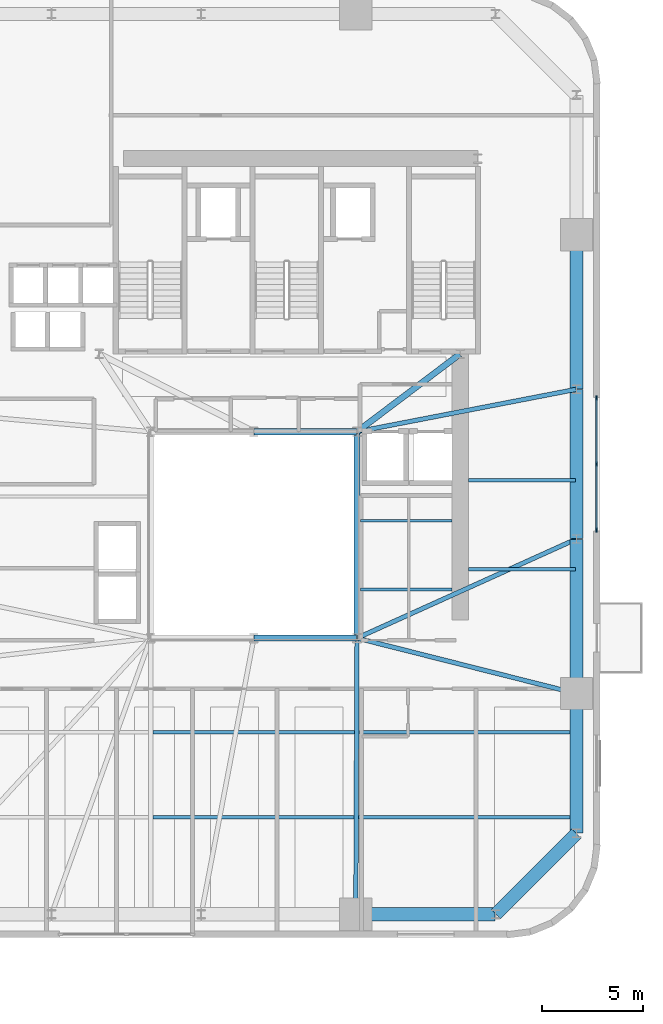
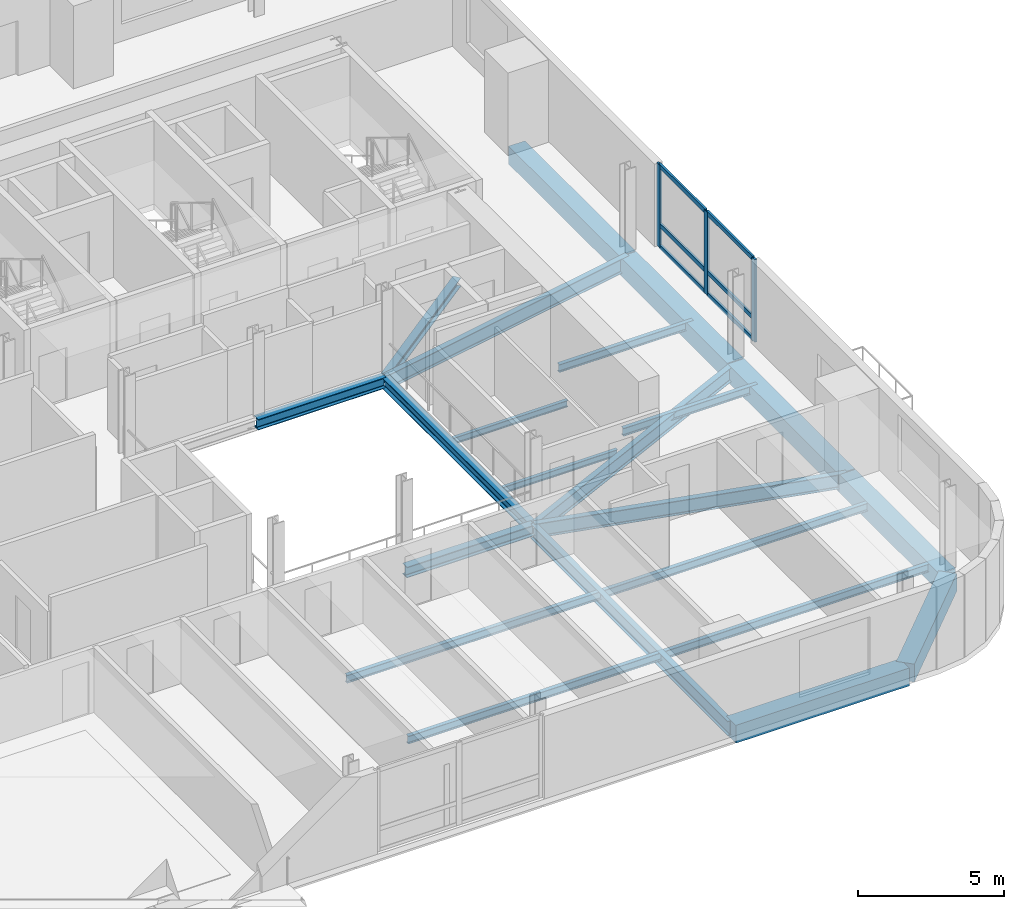
# One storey, part 3 of 14: 20 beams, 9 members, 1 element without a shape of its own.
"""IFC4 building model written with IfcOpenShell, lengths in metres."""

from ifc_helpers import new_model, si_unit, direction, frame, origin, origin_2d, place, context, subcontext, project, spatial, rectangle, i_section, extrude, source, transform, mapped, material, material_profile, profile_set, type_object, element, aggregate, save


model = new_model("IFC4")

# Units and contexts
model_context = context("Model", 3, precision=1e-05, world=origin(), true_north=direction((0.0, 1.0)))
body_context = subcontext(model_context, "Body", "Model", "MODEL_VIEW")
ifc_project = project(units=[si_unit("LENGTHUNIT", "METRE"), si_unit("AREAUNIT", "SQUARE_METRE"), si_unit("VOLUMEUNIT", "CUBIC_METRE"), si_unit("PLANEANGLEUNIT", "RADIAN"), si_unit("MASSUNIT", "GRAM", prefix="KILO")], contexts=[model_context])

# Site, building, storey
site_placement = place(None, origin())
site = spatial("IfcSite", under=ifc_project, at=site_placement, CompositionType="ELEMENT")
building_placement = place(site_placement, origin())
building = spatial("IfcBuilding", under=site, at=building_placement, Name="Vardaveli Station Tower", CompositionType="ELEMENT")
storey_placement = place(building_placement, frame((0.0, 0.0, 126.10009765625)))
storey = spatial("IfcBuildingStorey", under=building, at=storey_placement, Name="L32", CompositionType="ELEMENT", Elevation=126.10009765625)

# Beams
ifc_material_1 = material(Name="Structural steel S355J2", Category="steel")
ifc_material_profile_1 = material_profile(ifc_material_1, i_section(OverallWidth=0.300048828125, OverallDepth=0.449951171875, WebThickness=0.013916015625, FlangeThickness=0.02587890625, FilletRadius=0.027099609375, at=origin_2d()), Name="HEB 450")
ifc_profile_set_1 = profile_set([ifc_material_profile_1], Name="Structural steel S355J2")
beam_type_1 = type_object("IfcBeamType", Name="BM-HEB450", PredefinedType="BEAM", material=ifc_profile_set_1)
shared_shape_1 = source(origin(), body_context, "Body", "SweptSolid", [
    extrude(i_section(OverallWidth=0.300048828125, OverallDepth=0.449951171875, WebThickness=0.013916015625, FlangeThickness=0.02587890625, FilletRadius=0.027099609375, at=origin_2d()), origin(), (0.0, 0.0, 1.0), 5.059814453125),
])
for number, where, z_axis, x_axis, name in (
    (1, (36.320068359375, 16.60009765625, -0.465087890625), (1.0, 0.0, 0.0), (0.0, 1.0, 0.0), "ABM-L32-02"),
    (2, (41.3798828125, 26.800048828125, -0.465087890625), (-1.0, 0.0, 0.0), (0.0, -1.0, 0.0), "ABM-L32-04"),
):
    element("IfcBeam", number, at=place(storey_placement, frame(where, z_axis=z_axis, x_axis=x_axis)), inside=storey, type_object=beam_type_1, Name=name, PredefinedType="BEAM", context=body_context, shape_type="MappedRepresentation", body=[
        mapped(shared_shape_1, transform((0.0, 0.0, 0.0), scale=1.0)),
    ])
shared_shape_2 = source(origin(), body_context, "Body", "SweptSolid", [
    extrude(i_section(OverallWidth=0.300048828125, OverallDepth=0.449951171875, WebThickness=0.013916015625, FlangeThickness=0.02587890625, FilletRadius=0.027099609375, at=origin_2d()), origin(), (0.0, 0.0, 1.0), 10.159912109375),
])
beam_1_placement = place(storey_placement, frame((41.39990234375, 16.6201171875, -0.465087890625), z_axis=(0.0, 1.0, 0.0), x_axis=(-1.0, 0.0, 0.0)))
element("IfcBeam", 3, at=beam_1_placement, inside=storey, type_object=beam_type_1, Name="ABM-L32-03", PredefinedType="BEAM", context=body_context, shape_type="MappedRepresentation", body=[
    mapped(shared_shape_2, transform((0.0, 0.0, 0.0), scale=1.0)),
])
ifc_material_profile_2 = material_profile(ifc_material_1, i_section(OverallWidth=0.300048828125, OverallDepth=0.360107421875, WebThickness=0.012451171875, FlangeThickness=0.0224609375, FilletRadius=0.027099609375, at=origin_2d()), Name="HEB 360")
ifc_profile_set_2 = profile_set([ifc_material_profile_2], Name="Structural steel S355J2")
beam_type_2 = type_object("IfcBeamType", Name="BM-HEB360", PredefinedType="BEAM", material=ifc_profile_set_2)
shared_shape_3 = source(origin(), body_context, "Body", "SweptSolid", [
    extrude(i_section(OverallWidth=0.300048828125, OverallDepth=0.360107421875, WebThickness=0.012451171875, FlangeThickness=0.0224609375, FilletRadius=0.027099609375, at=origin_2d()), origin(), (0.0, 0.0, 1.0), 6.35009765625),
])
beam_2_placement = place(storey_placement, frame((41.416015625, 26.81201171875, -0.420166015625), z_axis=(0.798118337722, 0.602500721154, 0.0), x_axis=(-0.602500721154, 0.798118337722, 0.0)))
element("IfcBeam", 4, at=beam_2_placement, inside=storey, type_object=beam_type_2, Name="CBM-L32-02", PredefinedType="BEAM", context=body_context, shape_type="MappedRepresentation", body=[
    mapped(shared_shape_3, transform((0.0, 0.0, 0.0), scale=1.0)),
])
ifc_material_2 = material(Name="Precast concrete C45/55", Category="concrete")
ifc_material_profile_3 = material_profile(ifc_material_2, rectangle(XDim=0.64990234375, YDim=0.75, at=origin_2d()), Name="LPB 650x750")
ifc_profile_set_3 = profile_set([ifc_material_profile_3], Name="Precast concrete C45/55")
beam_type_3 = type_object("IfcBeamType", Name="BM-LPB-750", PredefinedType="BEAM", material=ifc_profile_set_3)
shared_shape_4 = source(origin(), body_context, "Body", "SweptSolid", [
    extrude(rectangle(XDim=0.64990234375, YDim=0.75, at=origin_2d()), origin(), (0.0, 0.0, 1.0), 7.60009765625),
])
for number, where, z_axis, x_axis, name in (
    (5, (52.25, 13.8798828125, -0.614990234375), (0.0, 1.0, 0.0), (-1.0, 0.0, 0.0), "RBM-L32-07"),
    (6, (52.25, 28.919921875, -0.614990234375), (0.0, 1.0, 0.0), (-1.0, 0.0, 0.0), "RBM-L32-09"),
):
    element("IfcBeam", number, at=place(storey_placement, frame(where, z_axis=z_axis, x_axis=x_axis)), inside=storey, type_object=beam_type_3, Name=name, PredefinedType="BEAM", context=body_context, shape_type="MappedRepresentation", body=[
        mapped(shared_shape_4, transform((0.0, 0.0, 0.0), scale=1.0)),
    ])
shared_shape_5 = source(origin(), body_context, "Body", "SweptSolid", [
    extrude(rectangle(XDim=0.64990234375, YDim=0.75, at=origin_2d()), origin(), (0.0, 0.0, 1.0), 7.35986328125),
])
beam_3_placement = place(storey_placement, frame((52.25, 21.52001953125, -0.614990234375), z_axis=(0.0, 1.0, 0.0), x_axis=(-1.0, 0.0, 0.0)))
element("IfcBeam", 7, at=beam_3_placement, inside=storey, type_object=beam_type_3, Name="RBM-L32-08", PredefinedType="BEAM", context=body_context, shape_type="MappedRepresentation", body=[
    mapped(shared_shape_5, transform((0.0, 0.0, 0.0), scale=1.0)),
])
shared_shape_6 = source(origin(), body_context, "Body", "SweptSolid", [
    extrude(rectangle(XDim=0.64990234375, YDim=0.75, at=origin_2d()), origin(), (0.0, 0.0, 1.0), 6.869873046875),
])
beam_4_placement = place(storey_placement, frame((41.360107421875, 2.949951171875, -0.614990234375), z_axis=(1.0, 0.0, 0.0), x_axis=(0.0, 1.0, 0.0)))
element("IfcBeam", 8, at=beam_4_placement, inside=storey, type_object=beam_type_3, Name="RBM-L32-04", PredefinedType="BEAM", context=body_context, shape_type="MappedRepresentation", body=[
    mapped(shared_shape_6, transform((0.0, 0.0, 0.0), scale=1.0)),
])
shared_shape_7 = source(origin(), body_context, "Body", "SweptSolid", [
    extrude(rectangle(XDim=0.64990234375, YDim=0.75, at=origin_2d()), origin(), (0.0, 0.0, 1.0), 5.61669921875),
])
beam_5_placement = place(storey_placement, frame((48.26416015625, 2.964111328125, -0.614990234375), z_axis=(0.707106781187, 0.707106781187, 0.0), x_axis=(-0.707106781187, 0.707106781187, 0.0)))
element("IfcBeam", 9, at=beam_5_placement, inside=storey, type_object=beam_type_3, Name="RBM-L32-05", PredefinedType="BEAM", context=body_context, shape_type="MappedRepresentation", body=[
    mapped(shared_shape_7, transform((0.0, 0.0, 0.0), scale=1.0)),
])
shared_shape_8 = source(origin(), body_context, "Body", "SweptSolid", [
    extrude(rectangle(XDim=0.64990234375, YDim=0.75, at=origin_2d()), origin(), (0.0, 0.0, 1.0), 6.8701171875),
])
beam_6_placement = place(storey_placement, frame((52.25, 6.969970703125, -0.614990234375), z_axis=(0.0, 1.0, 0.0), x_axis=(-1.0, 0.0, 0.0)))
element("IfcBeam", 10, at=beam_6_placement, inside=storey, type_object=beam_type_3, Name="RBM-L32-06", PredefinedType="BEAM", context=body_context, shape_type="MappedRepresentation", body=[
    mapped(shared_shape_8, transform((0.0, 0.0, 0.0), scale=1.0)),
])
ifc_material_profile_4 = material_profile(ifc_material_1, i_section(OverallWidth=0.159912109375, OverallDepth=0.330078125, WebThickness=0.007568359375, FlangeThickness=0.011474609375, FilletRadius=0.01806640625, at=origin_2d()), Name="IPE 330")
ifc_profile_set_4 = profile_set([ifc_material_profile_4], Name="Structural steel S355J2")
beam_type_4 = type_object("IfcBeamType", Name="BM-IPE330", PredefinedType="JOIST", material=ifc_profile_set_4)
shared_shape_9 = source(origin(), body_context, "Body", "SweptSolid", [
    extrude(i_section(OverallWidth=0.159912109375, OverallDepth=0.330078125, WebThickness=0.007568359375, FlangeThickness=0.011474609375, FilletRadius=0.01806640625, at=origin_2d()), origin(), (0.0, 0.0, 1.0), 20.89794921875),
])
for number, where, z_axis, x_axis, name in (
    (11, (31.31201171875, 7.75, -0.405029296875), (1.0, 0.0, 0.0), (0.0, 1.0, 0.0), "SJ-L32-S02"),
    (12, (31.31201171875, 11.949951171875, -0.405029296875), (1.0, 0.0, 0.0), (0.0, 1.0, 0.0), "SJ-L32-S04"),
):
    element("IfcBeam", number, at=place(storey_placement, frame(where, z_axis=z_axis, x_axis=x_axis)), inside=storey, type_object=beam_type_4, Name=name, PredefinedType="JOIST", context=body_context, shape_type="MappedRepresentation", body=[
        mapped(shared_shape_9, transform((0.0, 0.0, 0.0), scale=1.0)),
    ])
shared_shape_10 = source(origin(), body_context, "Body", "SweptSolid", [
    extrude(i_section(OverallWidth=0.159912109375, OverallDepth=0.330078125, WebThickness=0.007568359375, FlangeThickness=0.011474609375, FilletRadius=0.01806640625, at=origin_2d()), origin(), (0.0, 0.0, 1.0), 5.304931640625),
])
for number, where, z_axis, x_axis, name in (
    (13, (46.905029296875, 20.0, -0.405029296875), (1.0, 0.0, 0.0), (0.0, 1.0, 0.0), "SJ-L32-E07"),
    (14, (46.905029296875, 24.39990234375, -0.405029296875), (1.0, 0.0, 0.0), (0.0, 1.0, 0.0), "SJ-L32-E08"),
):
    element("IfcBeam", number, at=place(storey_placement, frame(where, z_axis=z_axis, x_axis=x_axis)), inside=storey, type_object=beam_type_4, Name=name, PredefinedType="JOIST", context=body_context, shape_type="MappedRepresentation", body=[
        mapped(shared_shape_10, transform((0.0, 0.0, 0.0), scale=1.0)),
    ])
ifc_material_profile_5 = material_profile(ifc_material_1, i_section(OverallWidth=0.135009765625, OverallDepth=0.27001953125, WebThickness=0.006591796875, FlangeThickness=0.01025390625, FilletRadius=0.014892578125, at=origin_2d()), Name="IPE 270")
ifc_profile_set_5 = profile_set([ifc_material_profile_5], Name="Structural steel S355J2")
beam_type_5 = type_object("IfcBeamType", Name="BM-IPE270", PredefinedType="BEAM", material=ifc_profile_set_5)
shared_shape_11 = source(origin(), body_context, "Body", "SweptSolid", [
    extrude(i_section(OverallWidth=0.135009765625, OverallDepth=0.27001953125, WebThickness=0.006591796875, FlangeThickness=0.01025390625, FilletRadius=0.014892578125, at=origin_2d()), origin(), (0.0, 0.0, 1.0), 4.530029296875),
])
for number, where, z_axis, x_axis, name in (
    (15, (41.56494140625, 19.0, -0.375), (1.0, 0.0, 0.0), (0.0, 1.0, 0.0), "TJ-L32-01"),
    (16, (41.56494140625, 22.39990234375, -0.375), (1.0, 0.0, 0.0), (0.0, 1.0, 0.0), "TJ-L32-02"),
):
    element("IfcBeam", number, at=place(storey_placement, frame(where, z_axis=z_axis, x_axis=x_axis)), inside=storey, type_object=beam_type_5, Name=name, PredefinedType="BEAM", context=body_context, shape_type="MappedRepresentation", body=[
        mapped(shared_shape_11, transform((0.0, 0.0, 0.0), scale=1.0)),
    ])
ifc_material_profile_6 = material_profile(ifc_material_1, i_section(OverallWidth=0.219970703125, OverallDepth=0.60009765625, WebThickness=0.011962890625, FlangeThickness=0.01904296875, FilletRadius=0.02392578125, at=origin_2d()), Name="IPE 600")
ifc_profile_set_6 = profile_set([ifc_material_profile_6], Name="Structural steel S355J2")
beam_type_6 = type_object("IfcBeamType", Name="BM-IPE600", PredefinedType="BEAM", material=ifc_profile_set_6)
shared_shape_12 = source(origin(), body_context, "Body", "SweptSolid", [
    extrude(i_section(OverallWidth=0.219970703125, OverallDepth=0.60009765625, WebThickness=0.011962890625, FlangeThickness=0.01904296875, FilletRadius=0.02392578125, at=origin_2d()), origin(), (0.0, 0.0, 1.0), 13.6103515625),
])
beam_7_placement = place(storey_placement, frame((41.340087890625, 2.969970703125, -0.5400390625), z_axis=(0.004394812886, 0.999990342763, 0.0), x_axis=(-0.999990342763, 0.004394812886, 0.0)))
element("IfcBeam", 17, at=beam_7_placement, inside=storey, type_object=beam_type_6, Name="GBM-L32-04", PredefinedType="BEAM", context=body_context, shape_type="MappedRepresentation", body=[
    mapped(shared_shape_12, transform((0.0, 0.0, 0.0), scale=1.0)),
])
shared_shape_13 = source(origin(), body_context, "Body", "SweptSolid", [
    extrude(i_section(OverallWidth=0.219970703125, OverallDepth=0.60009765625, WebThickness=0.011962890625, FlangeThickness=0.01904296875, FilletRadius=0.02392578125, at=origin_2d()), origin(), (0.0, 0.0, 1.0), 11.150634765625),
])
beam_8_placement = place(storey_placement, frame((52.230712890625, 13.864990234375, -0.5400390625), z_axis=(-0.969561465826, 0.244848042642, 0.0), x_axis=(-0.244848042642, -0.969561465826, 0.0)))
element("IfcBeam", 18, at=beam_8_placement, inside=storey, type_object=beam_type_6, Name="GBM-L32-05", PredefinedType="BEAM", context=body_context, shape_type="MappedRepresentation", body=[
    mapped(shared_shape_13, transform((0.0, 0.0, 0.0), scale=1.0)),
])
shared_shape_14 = source(origin(), body_context, "Body", "SweptSolid", [
    extrude(i_section(OverallWidth=0.219970703125, OverallDepth=0.60009765625, WebThickness=0.011962890625, FlangeThickness=0.01904296875, FilletRadius=0.02392578125, at=origin_2d()), origin(), (0.0, 0.0, 1.0), 11.864990234375),
])
beam_9_placement = place(storey_placement, frame((52.231689453125, 21.49169921875, -0.5400390625), z_axis=(-0.911369354756, -0.411589478985, 0.0), x_axis=(0.411589478985, -0.911369354756, 0.0)))
element("IfcBeam", 19, at=beam_9_placement, inside=storey, type_object=beam_type_6, Name="GBM-L32-06", PredefinedType="BEAM", context=body_context, shape_type="MappedRepresentation", body=[
    mapped(shared_shape_14, transform((0.0, 0.0, 0.0), scale=1.0)),
])
shared_shape_15 = source(origin(), body_context, "Body", "SweptSolid", [
    extrude(i_section(OverallWidth=0.219970703125, OverallDepth=0.60009765625, WebThickness=0.011962890625, FlangeThickness=0.01904296875, FilletRadius=0.02392578125, at=origin_2d()), origin(), (0.0, 0.0, 1.0), 11.011474609375),
])
beam_10_placement = place(storey_placement, frame((52.23046875, 28.896240234375, -0.5400390625), z_axis=(-0.981777849093, -0.190032247343, 0.0), x_axis=(0.190032247343, -0.981777849093, 0.0)))
element("IfcBeam", 20, at=beam_10_placement, inside=storey, type_object=beam_type_6, Name="GBM-L32-07", PredefinedType="BEAM", context=body_context, shape_type="MappedRepresentation", body=[
    mapped(shared_shape_15, transform((0.0, 0.0, 0.0), scale=1.0)),
])

# Curtain wall, members
ifc_material_3 = material(Name="Travertine stone and solar-control glass", Category="masonry")
curtain_wall_type = type_object("IfcCurtainWallType", Name="CW-SYS-2", PredefinedType="NOTDEFINED", material=ifc_material_3)
curtain_wall_placement = place(storey_placement, origin())
curtain_wall = element("IfcCurtainWall", 21, at=curtain_wall_placement, inside=storey, type_object=curtain_wall_type, Name="CW-L32-E", PredefinedType="NOTDEFINED")
ifc_material_4 = material(Name="Anodised aluminium alloy 6063-T6", Category="aluminium")
ifc_material_profile_7 = material_profile(ifc_material_4, rectangle(XDim=0.0849609375, YDim=0.179931640625, at=origin_2d()), Name="CWT 85x180")
ifc_profile_set_7 = profile_set([ifc_material_profile_7], Name="Anodised aluminium alloy 6063-T6")
member_type_1 = type_object("IfcMemberType", Name="CW-SYS-2-TRAN", PredefinedType="NOTDEFINED", material=ifc_profile_set_7)
shared_shape_16 = source(origin(), body_context, "Body", "SweptSolid", [
    extrude(rectangle(XDim=0.0849609375, YDim=0.179931640625, at=origin_2d()), origin(), (0.0, 0.0, 1.0), 3.172607421875),
])
member_1_placement = place(storey_placement, frame((53.239990234375, 25.242431640625, 0.04248046875), z_axis=(0.0, 1.0, 0.0), x_axis=(-1.0, 0.0, 0.0)))
member_1 = element("IfcMember", 22, at=member_1_placement, type_object=member_type_1, Name="CW-2 transom 2.1", ObjectType="TRANSOM", PredefinedType="USERDEFINED", context=body_context, shape_type="MappedRepresentation", body=[
    mapped(shared_shape_16, transform((0.0, 0.0, 0.0), scale=1.0)),
])
member_2_placement = place(storey_placement, frame((53.239990234375, 25.242431640625, 0.949951171875), z_axis=(0.0, 1.0, 0.0), x_axis=(-1.0, 0.0, 0.0)))
member_2 = element("IfcMember", 23, at=member_2_placement, type_object=member_type_1, Name="CW-2 transom 2.2", ObjectType="TRANSOM", PredefinedType="USERDEFINED", context=body_context, shape_type="MappedRepresentation", body=[
    mapped(shared_shape_16, transform((0.0, 0.0, 0.0), scale=1.0)),
])
member_3_placement = place(storey_placement, frame((53.239990234375, 25.242431640625, 3.41748046875), z_axis=(0.0, 1.0, 0.0), x_axis=(-1.0, 0.0, 0.0)))
member_3 = element("IfcMember", 24, at=member_3_placement, type_object=member_type_1, Name="CW-2 transom 2.3", ObjectType="TRANSOM", PredefinedType="USERDEFINED", context=body_context, shape_type="MappedRepresentation", body=[
    mapped(shared_shape_16, transform((0.0, 0.0, 0.0), scale=1.0)),
])
shared_shape_17 = source(origin(), body_context, "Body", "SweptSolid", [
    extrude(rectangle(XDim=0.0849609375, YDim=0.179931640625, at=origin_2d()), origin(), (0.0, 0.0, 1.0), 3.17236328125),
])
member_4_placement = place(storey_placement, frame((53.239990234375, 21.985107421875, 0.04248046875), z_axis=(0.0, 1.0, 0.0), x_axis=(-1.0, 0.0, 0.0)))
member_4 = element("IfcMember", 25, at=member_4_placement, type_object=member_type_1, Name="CW-2 transom 1.1", ObjectType="TRANSOM", PredefinedType="USERDEFINED", context=body_context, shape_type="MappedRepresentation", body=[
    mapped(shared_shape_17, transform((0.0, 0.0, 0.0), scale=1.0)),
])
member_5_placement = place(storey_placement, frame((53.239990234375, 21.985107421875, 0.949951171875), z_axis=(0.0, 1.0, 0.0), x_axis=(-1.0, 0.0, 0.0)))
member_5 = element("IfcMember", 26, at=member_5_placement, type_object=member_type_1, Name="CW-2 transom 1.2", ObjectType="TRANSOM", PredefinedType="USERDEFINED", context=body_context, shape_type="MappedRepresentation", body=[
    mapped(shared_shape_17, transform((0.0, 0.0, 0.0), scale=1.0)),
])
member_6_placement = place(storey_placement, frame((53.239990234375, 21.985107421875, 3.41748046875), z_axis=(0.0, 1.0, 0.0), x_axis=(-1.0, 0.0, 0.0)))
member_6 = element("IfcMember", 27, at=member_6_placement, type_object=member_type_1, Name="CW-2 transom 1.3", ObjectType="TRANSOM", PredefinedType="USERDEFINED", context=body_context, shape_type="MappedRepresentation", body=[
    mapped(shared_shape_17, transform((0.0, 0.0, 0.0), scale=1.0)),
])
ifc_material_profile_8 = material_profile(ifc_material_4, rectangle(XDim=0.0849609375, YDim=0.219970703125, at=origin_2d()), Name="CWM 85x220")
ifc_profile_set_8 = profile_set([ifc_material_profile_8], Name="Anodised aluminium alloy 6063-T6")
member_type_2 = type_object("IfcMemberType", Name="CW-SYS-2-MULL", PredefinedType="MULLION", material=ifc_profile_set_8)
shared_shape_18 = source(origin(), body_context, "Body", "SweptSolid", [
    extrude(rectangle(XDim=0.0849609375, YDim=0.219970703125, at=origin_2d()), origin(), (0.0, 0.0, 1.0), 3.4599609375),
])
member_7_placement = place(storey_placement, frame((53.239990234375, 21.9423828125, 0.0), z_axis=(0.0, 0.0, 1.0), x_axis=(-1.0, 0.0, 0.0)))
member_7 = element("IfcMember", 28, at=member_7_placement, type_object=member_type_2, Name="CW-2 mullion 1", PredefinedType="MULLION", context=body_context, shape_type="MappedRepresentation", body=[
    mapped(shared_shape_18, transform((0.0, 0.0, 0.0), scale=1.0)),
])
member_8_placement = place(storey_placement, frame((53.239990234375, 25.199951171875, 0.0), z_axis=(0.0, 0.0, 1.0), x_axis=(-1.0, 0.0, 0.0)))
member_8 = element("IfcMember", 29, at=member_8_placement, type_object=member_type_2, Name="CW-2 mullion 2", PredefinedType="MULLION", context=body_context, shape_type="MappedRepresentation", body=[
    mapped(shared_shape_18, transform((0.0, 0.0, 0.0), scale=1.0)),
])
member_9_placement = place(storey_placement, frame((53.239990234375, 28.45751953125, 0.0), z_axis=(0.0, 0.0, 1.0), x_axis=(-1.0, 0.0, 0.0)))
member_9 = element("IfcMember", 30, at=member_9_placement, type_object=member_type_2, Name="CW-2 mullion 3", PredefinedType="MULLION", context=body_context, shape_type="MappedRepresentation", body=[
    mapped(shared_shape_18, transform((0.0, 0.0, 0.0), scale=1.0)),
])
aggregate(curtain_wall, [member_7, member_8, member_9, member_4, member_5, member_6, member_1, member_2, member_3])

save(model, "model.ifc")
